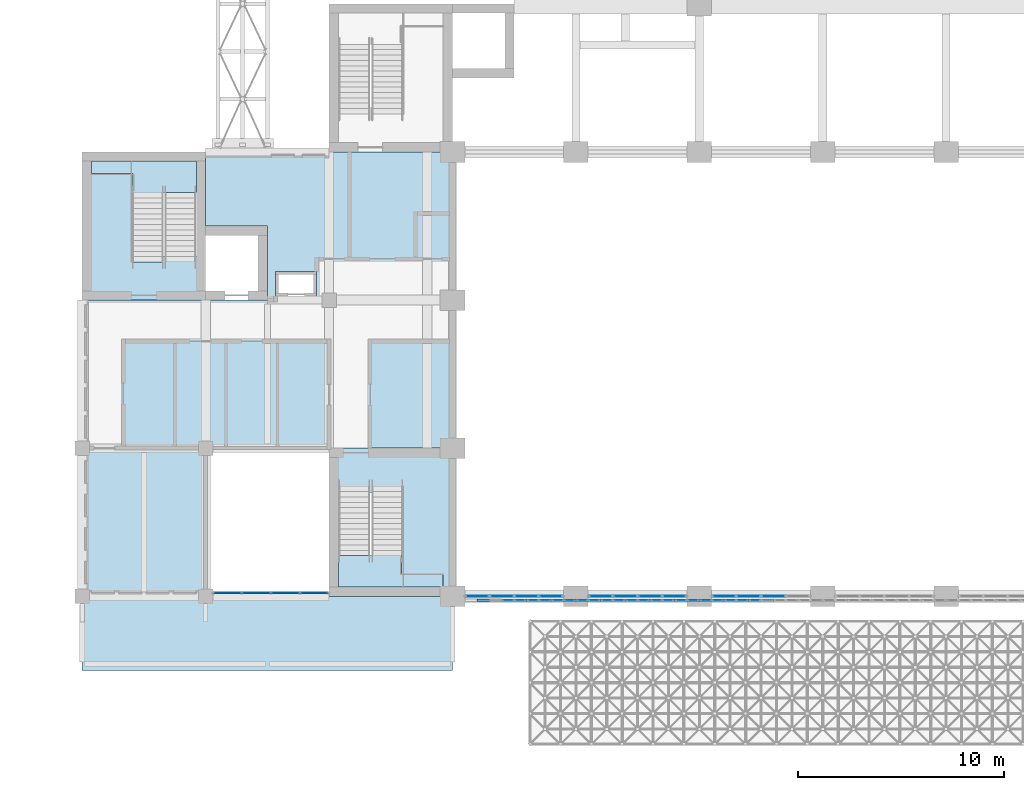
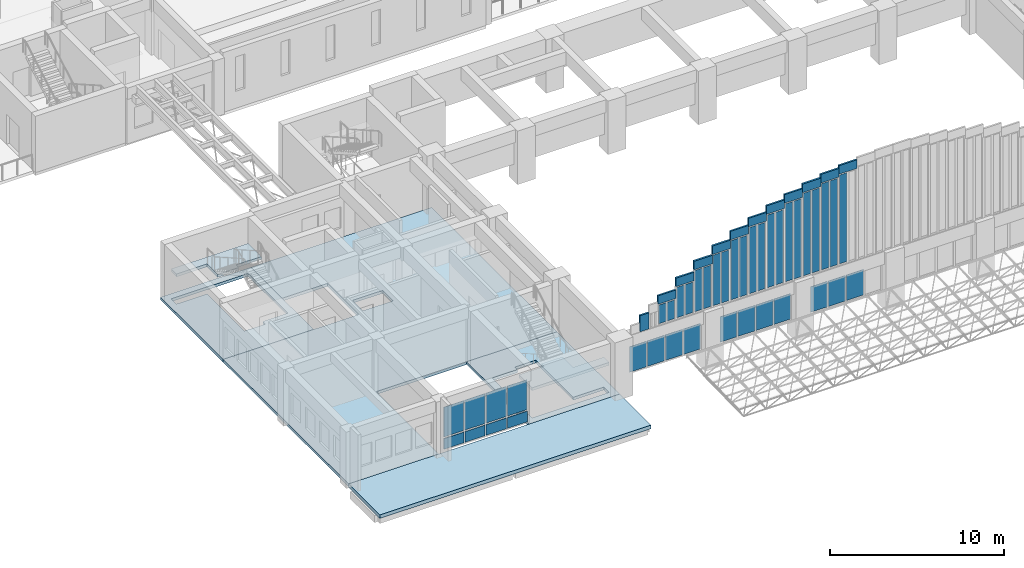
# One storey, part 46 of 103: 52 plates, 6 slabs, 17 elements without a shape of their own.
"""IFC4 building model written with IfcOpenShell, lengths in metres."""

from ifc_helpers import new_model, si_unit, direction, frame, origin, origin_2d, place, context, subcontext, project, spatial, polyline, rectangle, outline, extrude, material, layer, layer_set, type_object, element, aggregate, save


model = new_model("IFC4")

# Units and contexts
model_context = context("Model", 3, precision=1e-05, world=origin(), true_north=direction((0.0, 1.0)))
body_context = subcontext(model_context, "Body", "Model", "MODEL_VIEW")
ifc_project = project(units=[si_unit("LENGTHUNIT", "METRE"), si_unit("AREAUNIT", "SQUARE_METRE"), si_unit("VOLUMEUNIT", "CUBIC_METRE"), si_unit("PLANEANGLEUNIT", "RADIAN"), si_unit("MASSUNIT", "GRAM", prefix="KILO")], contexts=[model_context])

# Site, building, storey
site_placement = place(None, origin())
site = spatial("IfcSite", under=ifc_project, at=site_placement, CompositionType="ELEMENT")
building_placement = place(site_placement, origin())
building = spatial("IfcBuilding", under=site, at=building_placement, Name="Laocheng Heights Fire and Rescue Headquarters", CompositionType="ELEMENT")
storey_placement = place(building_placement, frame((0.0, 0.0, 4.199951171875)))
storey = spatial("IfcBuildingStorey", under=building, at=storey_placement, Name="L01", CompositionType="ELEMENT", Elevation=4.199951171875)

# Curtain wall, plates
ifc_material_1 = material(Name="Aluminium unitised curtain wall, low-e double glazing", Category="aluminium")
curtain_wall_type_1 = type_object("IfcCurtainWallType", Name="CW 5650 x 3150 FLANK W UNIT", PredefinedType="NOTDEFINED", material=ifc_material_1)
curtain_wall_1_placement = place(storey_placement, origin())
curtain_wall_1 = element("IfcCurtainWall", 1, at=curtain_wall_1_placement, inside=storey, type_object=curtain_wall_type_1, Name="Flank W glazing L01", PredefinedType="NOTDEFINED")
ifc_material_2 = material(Name="Aluminium shadow-box panel, insulated and back-painted", Category="aluminium")
ifc_layer_1 = layer(ifc_material_2, 0.06005859375)
ifc_layer_set_1 = layer_set([ifc_layer_1], Name="Aluminium shadow-box panel, insulated and back-painted")
plate_type_1 = type_object("IfcPlateType", Name="CW SHADOW BOX PANEL 60", PredefinedType="CURTAIN_PANEL", material=ifc_layer_set_1)
plate_1_placement = place(storey_placement, frame((7.0712890625, 0.14990234375, 0.10009765625), z_axis=(0.0, 0.0, 1.0), x_axis=(1.0, 0.0, 0.0)))
plate_1 = element("IfcPlate", 2, at=plate_1_placement, type_object=plate_type_1, Name="X2-E panel 1.1", PredefinedType="CURTAIN_PANEL", context=body_context, shape_type="SweptSolid", body=[
    extrude(rectangle(XDim=1.322509765625, YDim=0.06005859375, at=origin_2d()), origin(), (0.0, 0.0, 1.0), 0.75),
])
plate_2_placement = place(storey_placement, frame((8.46875, 0.14990234375, 0.10009765625), z_axis=(0.0, 0.0, 1.0), x_axis=(1.0, 0.0, 0.0)))
plate_2 = element("IfcPlate", 3, at=plate_2_placement, type_object=plate_type_1, Name="X2-E panel 2.1", PredefinedType="CURTAIN_PANEL", context=body_context, shape_type="SweptSolid", body=[
    extrude(rectangle(XDim=1.3525390625, YDim=0.06005859375, at=origin_2d()), origin(), (0.0, 0.0, 1.0), 0.75),
])
plate_3_placement = place(storey_placement, frame((9.88134765625, 0.14990234375, 0.10009765625), z_axis=(0.0, 0.0, 1.0), x_axis=(1.0, 0.0, 0.0)))
plate_3 = element("IfcPlate", 4, at=plate_3_placement, type_object=plate_type_1, Name="X2-E panel 3.1", PredefinedType="CURTAIN_PANEL", context=body_context, shape_type="SweptSolid", body=[
    extrude(rectangle(XDim=1.3525390625, YDim=0.06005859375, at=origin_2d()), origin(), (0.0, 0.0, 1.0), 0.75),
])
plate_4_placement = place(storey_placement, frame((11.27880859375, 0.14990234375, 0.10009765625), z_axis=(0.0, 0.0, 1.0), x_axis=(1.0, 0.0, 0.0)))
plate_4 = element("IfcPlate", 5, at=plate_4_placement, type_object=plate_type_1, Name="X2-E panel 4.1", PredefinedType="CURTAIN_PANEL", context=body_context, shape_type="SweptSolid", body=[
    extrude(rectangle(XDim=1.322509765625, YDim=0.06005859375, at=origin_2d()), origin(), (0.0, 0.0, 1.0), 0.75),
])
ifc_material_3 = material(Name="Low-e double glazed unit, laminated inner pane")
ifc_layer_2 = layer(ifc_material_3, 0.028076171875)
ifc_layer_set_2 = layer_set([ifc_layer_2], Name="Low-e double glazed unit, laminated inner pane")
plate_type_2 = type_object("IfcPlateType", Name="CW VISION PANEL 28 LOW-E", PredefinedType="CURTAIN_PANEL", material=ifc_layer_set_2)
plate_5_placement = place(storey_placement, frame((7.0712890625, 0.14990234375, 0.949951171875), z_axis=(0.0, 0.0, 1.0), x_axis=(1.0, 0.0, 0.0)))
plate_5 = element("IfcPlate", 6, at=plate_5_placement, type_object=plate_type_2, Name="X2-E panel 1.2", PredefinedType="CURTAIN_PANEL", context=body_context, shape_type="SweptSolid", body=[
    extrude(rectangle(XDim=1.322509765625, YDim=0.028076171875, at=origin_2d()), origin(), (0.0, 0.0, 1.0), 2.10009765625),
])
plate_6_placement = place(storey_placement, frame((8.46875, 0.14990234375, 0.949951171875), z_axis=(0.0, 0.0, 1.0), x_axis=(1.0, 0.0, 0.0)))
plate_6 = element("IfcPlate", 7, at=plate_6_placement, type_object=plate_type_2, Name="X2-E panel 2.2", PredefinedType="CURTAIN_PANEL", context=body_context, shape_type="SweptSolid", body=[
    extrude(rectangle(XDim=1.3525390625, YDim=0.028076171875, at=origin_2d()), origin(), (0.0, 0.0, 1.0), 2.10009765625),
])
plate_7_placement = place(storey_placement, frame((9.88134765625, 0.14990234375, 0.949951171875), z_axis=(0.0, 0.0, 1.0), x_axis=(1.0, 0.0, 0.0)))
plate_7 = element("IfcPlate", 8, at=plate_7_placement, type_object=plate_type_2, Name="X2-E panel 3.2", PredefinedType="CURTAIN_PANEL", context=body_context, shape_type="SweptSolid", body=[
    extrude(rectangle(XDim=1.3525390625, YDim=0.028076171875, at=origin_2d()), origin(), (0.0, 0.0, 1.0), 2.10009765625),
])
plate_8_placement = place(storey_placement, frame((11.27880859375, 0.14990234375, 0.949951171875), z_axis=(0.0, 0.0, 1.0), x_axis=(1.0, 0.0, 0.0)))
plate_8 = element("IfcPlate", 9, at=plate_8_placement, type_object=plate_type_2, Name="X2-E panel 4.2", PredefinedType="CURTAIN_PANEL", context=body_context, shape_type="SweptSolid", body=[
    extrude(rectangle(XDim=1.322509765625, YDim=0.028076171875, at=origin_2d()), origin(), (0.0, 0.0, 1.0), 2.10009765625),
])
aggregate(curtain_wall_1, [plate_1, plate_5, plate_2, plate_6, plate_3, plate_7, plate_4, plate_8])

# Plates
ifc_material_4 = material(Name="Aluminium shadow-box panel, insulated and back-painted", Category="aluminium")
ifc_layer_3 = layer(ifc_material_4, 0.1201171875)
ifc_layer_set_3 = layer_set([ifc_layer_3], Name="Aluminium shadow-box panel, insulated and back-painted")
plate_type_3 = type_object("IfcPlateType", Name="GABLE STEP PLATE 120", PredefinedType="SHEET", material=ifc_layer_set_3)
plate_9_placement = place(storey_placement, frame((19.5, -0.196533203125, 4.09033203125), z_axis=(0.0, 0.0, 1.0), x_axis=(1.0, 0.0, 0.0)))
element("IfcPlate", 10, at=plate_9_placement, inside=storey, type_object=plate_type_3, Name="Gable step plate S02", PredefinedType="SHEET", context=body_context, shape_type="SweptSolid", body=[
    extrude(rectangle(XDim=0.60009765625, YDim=0.1201171875, at=origin_2d()), origin(), (0.0, 0.0, 1.0), 1.134521484375),
])
for number, where, z_axis, x_axis, name in (
    (11, (21.0, -0.196533203125, 5.60205078125), (0.0, 0.0, 1.0), (1.0, 0.0, 0.0), "Gable step plate S04"),
    (12, (22.199951171875, -0.196533203125, 6.426025390625), (0.0, 0.0, 1.0), (1.0, 0.0, 0.0), "Gable step plate S05"),
    (13, (23.39990234375, -0.196533203125, 7.18994140625), (0.0, 0.0, 1.0), (1.0, 0.0, 0.0), "Gable step plate S06"),
    (14, (24.60009765625, -0.196533203125, 7.8359375), (0.0, 0.0, 1.0), (1.0, 0.0, 0.0), "Gable step plate S07"),
    (15, (25.800048828125, -0.196533203125, 8.443115234375), (0.0, 0.0, 1.0), (1.0, 0.0, 0.0), "Gable step plate S08"),
    (16, (27.0, -0.196533203125, 8.93603515625), (0.0, 0.0, 1.0), (1.0, 0.0, 0.0), "Gable step plate S09"),
    (17, (28.199951171875, -0.196533203125, 9.39599609375), (0.0, 0.0, 1.0), (1.0, 0.0, 0.0), "Gable step plate S10"),
    (18, (29.39990234375, -0.196533203125, 9.759033203125), (0.0, 0.0, 1.0), (1.0, 0.0, 0.0), "Gable step plate S11"),
    (19, (30.60009765625, -0.196533203125, 10.0849609375), (0.0, 0.0, 1.0), (1.0, 0.0, 0.0), "Gable step plate S12"),
    (20, (31.800048828125, -0.196533203125, 10.3359375), (0.0, 0.0, 1.0), (1.0, 0.0, 0.0), "Gable step plate S13"),
    (21, (33.0, -0.196533203125, 10.528076171875), (0.0, 0.0, 1.0), (1.0, 0.0, 0.0), "Gable step plate S14"),
):
    element("IfcPlate", number, at=place(storey_placement, frame(where, z_axis=z_axis, x_axis=x_axis)), inside=storey, type_object=plate_type_3, Name=name, PredefinedType="SHEET", context=body_context, shape_type="SweptSolid", body=[
        extrude(rectangle(XDim=1.199951171875, YDim=0.1201171875, at=origin_2d()), origin(), (0.0, 0.0, 1.0), 0.60009765625),
    ])

# Curtain wall, plates
ifc_material_5 = material(Name="Aluminium gable glazing, low-e double glazing", Category="aluminium")
curtain_wall_type_2 = type_object("IfcCurtainWallType", Name="GABLE SPANDREL GLAZED UNIT 4800 x 1990", PredefinedType="NOTDEFINED", material=ifc_material_5)
curtain_wall_2_placement = place(storey_placement, origin())
curtain_wall_2 = element("IfcCurtainWall", 22, at=curtain_wall_2_placement, inside=storey, type_object=curtain_wall_type_2, Name="Gable spandrel glazing S1", PredefinedType="NOTDEFINED")
ifc_material_6 = material(Name="Low-e double glazed unit, laminated inner pane")
ifc_layer_4 = layer(ifc_material_6, 0.028076171875)
ifc_layer_set_4 = layer_set([ifc_layer_4], Name="Low-e double glazed unit, laminated inner pane")
plate_type_4 = type_object("IfcPlateType", Name="GABLE VISION PANEL 28", PredefinedType="CURTAIN_PANEL", material=ifc_layer_set_4)
plate_10_placement = place(storey_placement, frame((19.215087890625, 0.0, 1.300048828125), z_axis=(0.0, 0.0, 1.0), x_axis=(1.0, 0.0, 0.0)))
plate_10 = element("IfcPlate", 23, at=plate_10_placement, type_object=plate_type_4, Name="X1-D panel 1.1", PredefinedType="CURTAIN_PANEL", context=body_context, shape_type="SweptSolid", body=[
    extrude(rectangle(XDim=1.110107421875, YDim=0.028076171875, at=origin_2d()), origin(), (0.0, 0.0, 1.0), 1.79052734375),
])
plate_11_placement = place(storey_placement, frame((20.39990234375, 0.0, 1.300048828125), z_axis=(0.0, 0.0, 1.0), x_axis=(1.0, 0.0, 0.0)))
plate_11 = element("IfcPlate", 24, at=plate_11_placement, type_object=plate_type_4, Name="X1-D panel 2.1", PredefinedType="CURTAIN_PANEL", context=body_context, shape_type="SweptSolid", body=[
    extrude(rectangle(XDim=1.139892578125, YDim=0.028076171875, at=origin_2d()), origin(), (0.0, 0.0, 1.0), 1.79052734375),
])
plate_12_placement = place(storey_placement, frame((21.60009765625, 0.0, 1.300048828125), z_axis=(0.0, 0.0, 1.0), x_axis=(1.0, 0.0, 0.0)))
plate_12 = element("IfcPlate", 25, at=plate_12_placement, type_object=plate_type_4, Name="X1-D panel 3.1", PredefinedType="CURTAIN_PANEL", context=body_context, shape_type="SweptSolid", body=[
    extrude(rectangle(XDim=1.139892578125, YDim=0.028076171875, at=origin_2d()), origin(), (0.0, 0.0, 1.0), 1.79052734375),
])
plate_13_placement = place(storey_placement, frame((22.784912109375, 0.0, 1.300048828125), z_axis=(0.0, 0.0, 1.0), x_axis=(1.0, 0.0, 0.0)))
plate_13 = element("IfcPlate", 26, at=plate_13_placement, type_object=plate_type_4, Name="X1-D panel 4.1", PredefinedType="CURTAIN_PANEL", context=body_context, shape_type="SweptSolid", body=[
    extrude(rectangle(XDim=1.110107421875, YDim=0.028076171875, at=origin_2d()), origin(), (0.0, 0.0, 1.0), 1.79052734375),
])
aggregate(curtain_wall_2, [plate_10, plate_11, plate_12, plate_13])

curtain_wall_3_placement = place(storey_placement, origin())
curtain_wall_3 = element("IfcCurtainWall", 27, at=curtain_wall_3_placement, inside=storey, type_object=curtain_wall_type_2, Name="Gable spandrel glazing S2", PredefinedType="NOTDEFINED")
plate_14_placement = place(storey_placement, frame((25.215087890625, 0.0, 1.300048828125), z_axis=(0.0, 0.0, 1.0), x_axis=(1.0, 0.0, 0.0)))
plate_14 = element("IfcPlate", 28, at=plate_14_placement, type_object=plate_type_4, Name="X1-D panel 1.1", PredefinedType="CURTAIN_PANEL", context=body_context, shape_type="SweptSolid", body=[
    extrude(rectangle(XDim=1.110107421875, YDim=0.028076171875, at=origin_2d()), origin(), (0.0, 0.0, 1.0), 1.79052734375),
])
plate_15_placement = place(storey_placement, frame((26.39990234375, 0.0, 1.300048828125), z_axis=(0.0, 0.0, 1.0), x_axis=(1.0, 0.0, 0.0)))
plate_15 = element("IfcPlate", 29, at=plate_15_placement, type_object=plate_type_4, Name="X1-D panel 2.1", PredefinedType="CURTAIN_PANEL", context=body_context, shape_type="SweptSolid", body=[
    extrude(rectangle(XDim=1.139892578125, YDim=0.028076171875, at=origin_2d()), origin(), (0.0, 0.0, 1.0), 1.79052734375),
])
plate_16_placement = place(storey_placement, frame((27.60009765625, 0.0, 1.300048828125), z_axis=(0.0, 0.0, 1.0), x_axis=(1.0, 0.0, 0.0)))
plate_16 = element("IfcPlate", 30, at=plate_16_placement, type_object=plate_type_4, Name="X1-D panel 3.1", PredefinedType="CURTAIN_PANEL", context=body_context, shape_type="SweptSolid", body=[
    extrude(rectangle(XDim=1.139892578125, YDim=0.028076171875, at=origin_2d()), origin(), (0.0, 0.0, 1.0), 1.79052734375),
])
plate_17_placement = place(storey_placement, frame((28.784912109375, 0.0, 1.300048828125), z_axis=(0.0, 0.0, 1.0), x_axis=(1.0, 0.0, 0.0)))
plate_17 = element("IfcPlate", 31, at=plate_17_placement, type_object=plate_type_4, Name="X1-D panel 4.1", PredefinedType="CURTAIN_PANEL", context=body_context, shape_type="SweptSolid", body=[
    extrude(rectangle(XDim=1.110107421875, YDim=0.028076171875, at=origin_2d()), origin(), (0.0, 0.0, 1.0), 1.79052734375),
])
aggregate(curtain_wall_3, [plate_14, plate_15, plate_16, plate_17])

curtain_wall_4_placement = place(storey_placement, origin())
curtain_wall_4 = element("IfcCurtainWall", 32, at=curtain_wall_4_placement, inside=storey, type_object=curtain_wall_type_2, Name="Gable spandrel glazing S3", PredefinedType="NOTDEFINED")
plate_18_placement = place(storey_placement, frame((31.215087890625, 0.0, 1.300048828125), z_axis=(0.0, 0.0, 1.0), x_axis=(1.0, 0.0, 0.0)))
plate_18 = element("IfcPlate", 33, at=plate_18_placement, type_object=plate_type_4, Name="X1-D panel 1.1", PredefinedType="CURTAIN_PANEL", context=body_context, shape_type="SweptSolid", body=[
    extrude(rectangle(XDim=1.110107421875, YDim=0.028076171875, at=origin_2d()), origin(), (0.0, 0.0, 1.0), 1.79052734375),
])
plate_19_placement = place(storey_placement, frame((32.39990234375, 0.0, 1.300048828125), z_axis=(0.0, 0.0, 1.0), x_axis=(1.0, 0.0, 0.0)))
plate_19 = element("IfcPlate", 34, at=plate_19_placement, type_object=plate_type_4, Name="X1-D panel 2.1", PredefinedType="CURTAIN_PANEL", context=body_context, shape_type="SweptSolid", body=[
    extrude(rectangle(XDim=1.139892578125, YDim=0.028076171875, at=origin_2d()), origin(), (0.0, 0.0, 1.0), 1.79052734375),
])
plate_20_placement = place(storey_placement, frame((33.60009765625, 0.0, 1.300048828125), z_axis=(0.0, 0.0, 1.0), x_axis=(1.0, 0.0, 0.0)))
plate_20 = element("IfcPlate", 35, at=plate_20_placement, type_object=plate_type_4, Name="X1-D panel 3.1", PredefinedType="CURTAIN_PANEL", context=body_context, shape_type="SweptSolid", body=[
    extrude(rectangle(XDim=1.139892578125, YDim=0.028076171875, at=origin_2d()), origin(), (0.0, 0.0, 1.0), 1.79052734375),
])
aggregate(curtain_wall_4, [plate_18, plate_19, plate_20])

ifc_material_7 = material(Name="Aluminium gable glazing, low-e double glazing", Category="aluminium")
curtain_wall_type_3 = type_object("IfcCurtainWallType", Name="GABLE GLAZED UNIT 1200 x 1511", PredefinedType="NOTDEFINED", material=ifc_material_7)
curtain_wall_5_placement = place(storey_placement, origin())
curtain_wall_5 = element("IfcCurtainWall", 36, at=curtain_wall_5_placement, inside=storey, type_object=curtain_wall_type_3, Name="Gable glazing S04", PredefinedType="NOTDEFINED")
plate_21_placement = place(storey_placement, frame((20.715087890625, -0.196533203125, 4.1904296875), z_axis=(0.0, 0.0, 1.0), x_axis=(1.0, 0.0, 0.0)))
plate_21 = element("IfcPlate", 37, at=plate_21_placement, type_object=plate_type_4, Name="X3-D panel 1.1", PredefinedType="CURTAIN_PANEL", context=body_context, shape_type="SweptSolid", body=[
    extrude(rectangle(XDim=0.510009765625, YDim=0.028076171875, at=origin_2d()), origin(), (0.0, 0.0, 1.0), 1.3115234375),
])
plate_22_placement = place(storey_placement, frame((21.284912109375, -0.196533203125, 4.1904296875), z_axis=(0.0, 0.0, 1.0), x_axis=(1.0, 0.0, 0.0)))
plate_22 = element("IfcPlate", 38, at=plate_22_placement, type_object=plate_type_4, Name="X3-D panel 2.1", PredefinedType="CURTAIN_PANEL", context=body_context, shape_type="SweptSolid", body=[
    extrude(rectangle(XDim=0.510009765625, YDim=0.028076171875, at=origin_2d()), origin(), (0.0, 0.0, 1.0), 1.3115234375),
])
aggregate(curtain_wall_5, [plate_21, plate_22])

ifc_material_8 = material(Name="Aluminium gable glazing, low-e double glazing", Category="aluminium")
curtain_wall_type_4 = type_object("IfcCurtainWallType", Name="GABLE GLAZED UNIT 1200 x 2336", PredefinedType="NOTDEFINED", material=ifc_material_8)
curtain_wall_6_placement = place(storey_placement, origin())
curtain_wall_6 = element("IfcCurtainWall", 39, at=curtain_wall_6_placement, inside=storey, type_object=curtain_wall_type_4, Name="Gable glazing S05", PredefinedType="NOTDEFINED")
plate_23_placement = place(storey_placement, frame((21.9150390625, -0.196533203125, 4.1904296875), z_axis=(0.0, 0.0, 1.0), x_axis=(1.0, 0.0, 0.0)))
plate_23 = element("IfcPlate", 40, at=plate_23_placement, type_object=plate_type_4, Name="X4-D panel 1.1", PredefinedType="CURTAIN_PANEL", context=body_context, shape_type="SweptSolid", body=[
    extrude(rectangle(XDim=0.510009765625, YDim=0.028076171875, at=origin_2d()), origin(), (0.0, 0.0, 1.0), 2.135498046875),
])
plate_24_placement = place(storey_placement, frame((22.485107421875, -0.196533203125, 4.1904296875), z_axis=(0.0, 0.0, 1.0), x_axis=(1.0, 0.0, 0.0)))
plate_24 = element("IfcPlate", 41, at=plate_24_placement, type_object=plate_type_4, Name="X4-D panel 2.1", PredefinedType="CURTAIN_PANEL", context=body_context, shape_type="SweptSolid", body=[
    extrude(rectangle(XDim=0.510009765625, YDim=0.028076171875, at=origin_2d()), origin(), (0.0, 0.0, 1.0), 2.135498046875),
])
aggregate(curtain_wall_6, [plate_23, plate_24])

ifc_material_9 = material(Name="Aluminium gable glazing, low-e double glazing", Category="aluminium")
curtain_wall_type_5 = type_object("IfcCurtainWallType", Name="GABLE GLAZED UNIT 1200 x 3100", PredefinedType="NOTDEFINED", material=ifc_material_9)
curtain_wall_7_placement = place(storey_placement, origin())
curtain_wall_7 = element("IfcCurtainWall", 42, at=curtain_wall_7_placement, inside=storey, type_object=curtain_wall_type_5, Name="Gable glazing S06", PredefinedType="NOTDEFINED")
plate_25_placement = place(storey_placement, frame((23.114990234375, -0.196533203125, 4.190673828125), z_axis=(0.0, 0.0, 1.0), x_axis=(1.0, 0.0, 0.0)))
plate_25 = element("IfcPlate", 43, at=plate_25_placement, type_object=plate_type_4, Name="X5-D panel 1.1", PredefinedType="CURTAIN_PANEL", context=body_context, shape_type="SweptSolid", body=[
    extrude(rectangle(XDim=0.510009765625, YDim=0.028076171875, at=origin_2d()), origin(), (0.0, 0.0, 1.0), 2.8994140625),
])
plate_26_placement = place(storey_placement, frame((23.68505859375, -0.196533203125, 4.190673828125), z_axis=(0.0, 0.0, 1.0), x_axis=(1.0, 0.0, 0.0)))
plate_26 = element("IfcPlate", 44, at=plate_26_placement, type_object=plate_type_4, Name="X5-D panel 2.1", PredefinedType="CURTAIN_PANEL", context=body_context, shape_type="SweptSolid", body=[
    extrude(rectangle(XDim=0.510009765625, YDim=0.028076171875, at=origin_2d()), origin(), (0.0, 0.0, 1.0), 2.8994140625),
])
aggregate(curtain_wall_7, [plate_25, plate_26])

ifc_material_10 = material(Name="Aluminium gable glazing, low-e double glazing", Category="aluminium")
curtain_wall_type_6 = type_object("IfcCurtainWallType", Name="GABLE GLAZED UNIT 1200 x 3746", PredefinedType="NOTDEFINED", material=ifc_material_10)
curtain_wall_8_placement = place(storey_placement, origin())
curtain_wall_8 = element("IfcCurtainWall", 45, at=curtain_wall_8_placement, inside=storey, type_object=curtain_wall_type_6, Name="Gable glazing S07", PredefinedType="NOTDEFINED")
plate_27_placement = place(storey_placement, frame((24.31494140625, -0.196533203125, 4.190673828125), z_axis=(0.0, 0.0, 1.0), x_axis=(1.0, 0.0, 0.0)))
plate_27 = element("IfcPlate", 46, at=plate_27_placement, type_object=plate_type_4, Name="X6-D panel 1.1", PredefinedType="CURTAIN_PANEL", context=body_context, shape_type="SweptSolid", body=[
    extrude(rectangle(XDim=0.510009765625, YDim=0.028076171875, at=origin_2d()), origin(), (0.0, 0.0, 1.0), 3.54541015625),
])
plate_28_placement = place(storey_placement, frame((24.885009765625, -0.196533203125, 4.190673828125), z_axis=(0.0, 0.0, 1.0), x_axis=(1.0, 0.0, 0.0)))
plate_28 = element("IfcPlate", 47, at=plate_28_placement, type_object=plate_type_4, Name="X6-D panel 2.1", PredefinedType="CURTAIN_PANEL", context=body_context, shape_type="SweptSolid", body=[
    extrude(rectangle(XDim=0.510009765625, YDim=0.028076171875, at=origin_2d()), origin(), (0.0, 0.0, 1.0), 3.54541015625),
])
aggregate(curtain_wall_8, [plate_27, plate_28])

ifc_material_11 = material(Name="Aluminium gable glazing, low-e double glazing", Category="aluminium")
curtain_wall_type_7 = type_object("IfcCurtainWallType", Name="GABLE GLAZED UNIT 1200 x 4353", PredefinedType="NOTDEFINED", material=ifc_material_11)
curtain_wall_9_placement = place(storey_placement, origin())
curtain_wall_9 = element("IfcCurtainWall", 48, at=curtain_wall_9_placement, inside=storey, type_object=curtain_wall_type_7, Name="Gable glazing S08", PredefinedType="NOTDEFINED")
plate_29_placement = place(storey_placement, frame((25.514892578125, -0.196533203125, 4.1904296875), z_axis=(0.0, 0.0, 1.0), x_axis=(1.0, 0.0, 0.0)))
plate_29 = element("IfcPlate", 49, at=plate_29_placement, type_object=plate_type_4, Name="X7-D panel 1.1", PredefinedType="CURTAIN_PANEL", context=body_context, shape_type="SweptSolid", body=[
    extrude(rectangle(XDim=0.510009765625, YDim=0.028076171875, at=origin_2d()), origin(), (0.0, 0.0, 1.0), 4.152587890625),
])
plate_30_placement = place(storey_placement, frame((26.0849609375, -0.196533203125, 4.1904296875), z_axis=(0.0, 0.0, 1.0), x_axis=(1.0, 0.0, 0.0)))
plate_30 = element("IfcPlate", 50, at=plate_30_placement, type_object=plate_type_4, Name="X7-D panel 2.1", PredefinedType="CURTAIN_PANEL", context=body_context, shape_type="SweptSolid", body=[
    extrude(rectangle(XDim=0.510009765625, YDim=0.028076171875, at=origin_2d()), origin(), (0.0, 0.0, 1.0), 4.152587890625),
])
aggregate(curtain_wall_9, [plate_29, plate_30])

ifc_material_12 = material(Name="Aluminium gable glazing, low-e double glazing", Category="aluminium")
curtain_wall_type_8 = type_object("IfcCurtainWallType", Name="GABLE GLAZED UNIT 1200 x 4846", PredefinedType="NOTDEFINED", material=ifc_material_12)
curtain_wall_10_placement = place(storey_placement, origin())
curtain_wall_10 = element("IfcCurtainWall", 51, at=curtain_wall_10_placement, inside=storey, type_object=curtain_wall_type_8, Name="Gable glazing S09", PredefinedType="NOTDEFINED")
plate_31_placement = place(storey_placement, frame((26.715087890625, -0.196533203125, 4.1904296875), z_axis=(0.0, 0.0, 1.0), x_axis=(1.0, 0.0, 0.0)))
plate_31 = element("IfcPlate", 52, at=plate_31_placement, type_object=plate_type_4, Name="X8-D panel 1.1", PredefinedType="CURTAIN_PANEL", context=body_context, shape_type="SweptSolid", body=[
    extrude(rectangle(XDim=0.510009765625, YDim=0.028076171875, at=origin_2d()), origin(), (0.0, 0.0, 1.0), 4.6455078125),
])
plate_32_placement = place(storey_placement, frame((27.284912109375, -0.196533203125, 4.1904296875), z_axis=(0.0, 0.0, 1.0), x_axis=(1.0, 0.0, 0.0)))
plate_32 = element("IfcPlate", 53, at=plate_32_placement, type_object=plate_type_4, Name="X8-D panel 2.1", PredefinedType="CURTAIN_PANEL", context=body_context, shape_type="SweptSolid", body=[
    extrude(rectangle(XDim=0.510009765625, YDim=0.028076171875, at=origin_2d()), origin(), (0.0, 0.0, 1.0), 4.6455078125),
])
aggregate(curtain_wall_10, [plate_31, plate_32])

ifc_material_13 = material(Name="Aluminium gable glazing, low-e double glazing", Category="aluminium")
curtain_wall_type_9 = type_object("IfcCurtainWallType", Name="GABLE GLAZED UNIT 1200 x 5306", PredefinedType="NOTDEFINED", material=ifc_material_13)
curtain_wall_11_placement = place(storey_placement, origin())
curtain_wall_11 = element("IfcCurtainWall", 54, at=curtain_wall_11_placement, inside=storey, type_object=curtain_wall_type_9, Name="Gable glazing S10", PredefinedType="NOTDEFINED")
plate_33_placement = place(storey_placement, frame((27.9150390625, -0.196533203125, 4.190673828125), z_axis=(0.0, 0.0, 1.0), x_axis=(1.0, 0.0, 0.0)))
plate_33 = element("IfcPlate", 55, at=plate_33_placement, type_object=plate_type_4, Name="X9-D panel 1.1", PredefinedType="CURTAIN_PANEL", context=body_context, shape_type="SweptSolid", body=[
    extrude(rectangle(XDim=0.510009765625, YDim=0.028076171875, at=origin_2d()), origin(), (0.0, 0.0, 1.0), 5.10546875),
])
plate_34_placement = place(storey_placement, frame((28.485107421875, -0.196533203125, 4.190673828125), z_axis=(0.0, 0.0, 1.0), x_axis=(1.0, 0.0, 0.0)))
plate_34 = element("IfcPlate", 56, at=plate_34_placement, type_object=plate_type_4, Name="X9-D panel 2.1", PredefinedType="CURTAIN_PANEL", context=body_context, shape_type="SweptSolid", body=[
    extrude(rectangle(XDim=0.510009765625, YDim=0.028076171875, at=origin_2d()), origin(), (0.0, 0.0, 1.0), 5.10546875),
])
aggregate(curtain_wall_11, [plate_33, plate_34])

ifc_material_14 = material(Name="Aluminium gable glazing, low-e double glazing", Category="aluminium")
curtain_wall_type_10 = type_object("IfcCurtainWallType", Name="GABLE GLAZED UNIT 1200 x 5668", PredefinedType="NOTDEFINED", material=ifc_material_14)
curtain_wall_12_placement = place(storey_placement, origin())
curtain_wall_12 = element("IfcCurtainWall", 57, at=curtain_wall_12_placement, inside=storey, type_object=curtain_wall_type_10, Name="Gable glazing S11", PredefinedType="NOTDEFINED")
plate_35_placement = place(storey_placement, frame((29.114990234375, -0.196533203125, 4.1904296875), z_axis=(0.0, 0.0, 1.0), x_axis=(1.0, 0.0, 0.0)))
plate_35 = element("IfcPlate", 58, at=plate_35_placement, type_object=plate_type_4, Name="X10-D panel 1.1", PredefinedType="CURTAIN_PANEL", context=body_context, shape_type="SweptSolid", body=[
    extrude(rectangle(XDim=0.510009765625, YDim=0.028076171875, at=origin_2d()), origin(), (0.0, 0.0, 1.0), 5.468505859375),
])
plate_36_placement = place(storey_placement, frame((29.68505859375, -0.196533203125, 4.1904296875), z_axis=(0.0, 0.0, 1.0), x_axis=(1.0, 0.0, 0.0)))
plate_36 = element("IfcPlate", 59, at=plate_36_placement, type_object=plate_type_4, Name="X10-D panel 2.1", PredefinedType="CURTAIN_PANEL", context=body_context, shape_type="SweptSolid", body=[
    extrude(rectangle(XDim=0.510009765625, YDim=0.028076171875, at=origin_2d()), origin(), (0.0, 0.0, 1.0), 5.468505859375),
])
aggregate(curtain_wall_12, [plate_35, plate_36])

ifc_material_15 = material(Name="Aluminium gable glazing, low-e double glazing", Category="aluminium")
curtain_wall_type_11 = type_object("IfcCurtainWallType", Name="GABLE GLAZED UNIT 1200 x 5994", PredefinedType="NOTDEFINED", material=ifc_material_15)
curtain_wall_13_placement = place(storey_placement, origin())
curtain_wall_13 = element("IfcCurtainWall", 60, at=curtain_wall_13_placement, inside=storey, type_object=curtain_wall_type_11, Name="Gable glazing S12", PredefinedType="NOTDEFINED")
plate_37_placement = place(storey_placement, frame((30.31494140625, -0.196533203125, 4.190673828125), z_axis=(0.0, 0.0, 1.0), x_axis=(1.0, 0.0, 0.0)))
plate_37 = element("IfcPlate", 61, at=plate_37_placement, type_object=plate_type_4, Name="X11-D panel 1.1", PredefinedType="CURTAIN_PANEL", context=body_context, shape_type="SweptSolid", body=[
    extrude(rectangle(XDim=0.510009765625, YDim=0.028076171875, at=origin_2d()), origin(), (0.0, 0.0, 1.0), 5.79443359375),
])
plate_38_placement = place(storey_placement, frame((30.885009765625, -0.196533203125, 4.190673828125), z_axis=(0.0, 0.0, 1.0), x_axis=(1.0, 0.0, 0.0)))
plate_38 = element("IfcPlate", 62, at=plate_38_placement, type_object=plate_type_4, Name="X11-D panel 2.1", PredefinedType="CURTAIN_PANEL", context=body_context, shape_type="SweptSolid", body=[
    extrude(rectangle(XDim=0.510009765625, YDim=0.028076171875, at=origin_2d()), origin(), (0.0, 0.0, 1.0), 5.79443359375),
])
aggregate(curtain_wall_13, [plate_37, plate_38])

ifc_material_16 = material(Name="Aluminium gable glazing, low-e double glazing", Category="aluminium")
curtain_wall_type_12 = type_object("IfcCurtainWallType", Name="GABLE GLAZED UNIT 1200 x 6246", PredefinedType="NOTDEFINED", material=ifc_material_16)
curtain_wall_14_placement = place(storey_placement, origin())
curtain_wall_14 = element("IfcCurtainWall", 63, at=curtain_wall_14_placement, inside=storey, type_object=curtain_wall_type_12, Name="Gable glazing S13", PredefinedType="NOTDEFINED")
plate_39_placement = place(storey_placement, frame((31.514892578125, -0.196533203125, 4.190673828125), z_axis=(0.0, 0.0, 1.0), x_axis=(1.0, 0.0, 0.0)))
plate_39 = element("IfcPlate", 64, at=plate_39_placement, type_object=plate_type_4, Name="X12-D panel 1.1", PredefinedType="CURTAIN_PANEL", context=body_context, shape_type="SweptSolid", body=[
    extrude(rectangle(XDim=0.510009765625, YDim=0.028076171875, at=origin_2d()), origin(), (0.0, 0.0, 1.0), 6.04541015625),
])
plate_40_placement = place(storey_placement, frame((32.0849609375, -0.196533203125, 4.190673828125), z_axis=(0.0, 0.0, 1.0), x_axis=(1.0, 0.0, 0.0)))
plate_40 = element("IfcPlate", 65, at=plate_40_placement, type_object=plate_type_4, Name="X12-D panel 2.1", PredefinedType="CURTAIN_PANEL", context=body_context, shape_type="SweptSolid", body=[
    extrude(rectangle(XDim=0.510009765625, YDim=0.028076171875, at=origin_2d()), origin(), (0.0, 0.0, 1.0), 6.04541015625),
])
aggregate(curtain_wall_14, [plate_39, plate_40])

# Curtain wall, plate
ifc_material_17 = material(Name="Aluminium gable glazing, low-e double glazing", Category="aluminium")
curtain_wall_type_13 = type_object("IfcCurtainWallType", Name="GABLE GLAZED UNIT 1200 x 6438", PredefinedType="NOTDEFINED", material=ifc_material_17)
curtain_wall_15_placement = place(storey_placement, origin())
curtain_wall_15 = element("IfcCurtainWall", 66, at=curtain_wall_15_placement, inside=storey, type_object=curtain_wall_type_13, Name="Gable glazing S14", PredefinedType="NOTDEFINED")
plate_41_placement = place(storey_placement, frame((32.715087890625, -0.196533203125, 4.1904296875), z_axis=(0.0, 0.0, 1.0), x_axis=(1.0, 0.0, 0.0)))
plate_41 = element("IfcPlate", 67, at=plate_41_placement, type_object=plate_type_4, Name="X13-D panel 1.1", PredefinedType="CURTAIN_PANEL", context=body_context, shape_type="SweptSolid", body=[
    extrude(rectangle(XDim=0.510009765625, YDim=0.028076171875, at=origin_2d()), origin(), (0.0, 0.0, 1.0), 6.237548828125),
])
aggregate(curtain_wall_15, [plate_41])

# Slabs
ifc_material_18 = material(Name="Concrete C40", Category="concrete")
ifc_layer_5 = layer(ifc_material_18, 0.25)
ifc_layer_set_5 = layer_set([ifc_layer_5], Name="Concrete C40")
slab_type_1 = type_object("IfcSlabType", Name="RC CANOPY SLAB 250", PredefinedType="ROOF", material=ifc_layer_set_5)
slab_1_placement = place(storey_placement, frame((0.0, 0.0, -0.25)))
element("IfcSlab", 68, at=slab_1_placement, inside=storey, type_object=slab_type_1, Name="Entrance canopy slab", PredefinedType="ROOF", context=body_context, shape_type="SweptSolid", body=[
    extrude(outline(polyline([(18.0, -3.60009765625), (18.0, 0.0), (0.0, 0.0), (0.0, -3.60009765625), (18.0, -3.60009765625)])), origin(), (0.0, 0.0, 1.0), 0.25),
])
ifc_material_19 = material(Name="Concrete C40", Category="concrete")
ifc_layer_6 = layer(ifc_material_19, 0.199951171875)
ifc_layer_set_6 = layer_set([ifc_layer_6], Name="Concrete C40")
slab_type_2 = type_object("IfcSlabType", Name="RC FLOOR SLAB PAVILION 200", PredefinedType="FLOOR", material=ifc_layer_set_6)
slab_2_placement = place(storey_placement, frame((0.0, 0.0, -0.199951171875)))
element("IfcSlab", 69, at=slab_2_placement, inside=storey, type_object=slab_type_2, Name="Pavilion first floor slab", PredefinedType="FLOOR", context=body_context, shape_type="SweptSolid", body=[
    extrude(outline(polyline([(18.0, 7.199951171875), (18.0, 21.60009765625), (6.0, 21.60009765625), (6.0, 18.0), (9.0, 18.0), (9.0, 14.39990234375), (0.0, 14.39990234375), (0.0, 0.0), (6.0, 0.0), (6.0, 7.199951171875), (18.0, 7.199951171875)]), holes=[polyline([(11.39990234375, 14.60009765625), (9.39990234375, 14.60009765625), (9.39990234375, 15.800048828125), (11.39990234375, 15.800048828125), (11.39990234375, 14.60009765625)])]), origin(), (0.0, 0.0, 1.0), 0.199951171875),
])

# Stair, slab
ifc_material_20 = material(Name="Concrete C40", Category="concrete")
stair_type = type_object("IfcStairType", Name="RC STAIR 1400 TWO FLIGHTS 28 RISERS OF 150 GOING 260", PredefinedType="HALF_TURN_STAIR", material=ifc_material_20)
stair_1_placement = place(storey_placement, origin())
stair_1 = element("IfcStair", 70, at=stair_1_placement, inside=storey, type_object=stair_type, Name="Stair W1 (L01 to L02)", PredefinedType="HALF_TURN_STAIR")
ifc_material_21 = material(Name="Concrete C40", Category="concrete")
ifc_layer_7 = layer(ifc_material_21, 0.199951171875)
ifc_layer_set_7 = layer_set([ifc_layer_7], Name="Concrete C40")
slab_type_3 = type_object("IfcSlabType", Name="STAIR FLOOR LANDING 200", PredefinedType="LANDING", material=ifc_layer_set_7)
slab_3_placement = place(storey_placement, frame((0.0, 0.0, -0.199951171875)))
slab_3 = element("IfcSlab", 71, at=slab_3_placement, type_object=slab_type_3, Name="Stair W1 floor landing L01", PredefinedType="LANDING", context=body_context, shape_type="SweptSolid", body=[
    extrude(outline(polyline([(0.0, 21.60009765625), (6.0, 21.60009765625), (6.0, 14.39990234375), (0.0, 14.39990234375), (0.0, 21.60009765625)]), holes=[polyline([(2.47509765625, 21.14990234375), (0.449951171875, 21.14990234375), (0.449951171875, 20.550048828125), (2.47509765625, 20.550048828125), (2.47509765625, 19.329833984375), (2.47509765625, 16.2529296875), (3.875, 16.2529296875), (3.875, 16.550048828125), (5.550048828125, 16.550048828125), (5.550048828125, 19.626953125), (5.550048828125, 21.14990234375), (3.875, 21.14990234375), (2.47509765625, 21.14990234375)])]), origin(), (0.0, 0.0, 1.0), 0.199951171875),
])

stair_2_placement = place(storey_placement, origin())
stair_2 = element("IfcStair", 72, at=stair_2_placement, inside=storey, type_object=stair_type, Name="Stair W2 (L01 to L02)", PredefinedType="HALF_TURN_STAIR")
slab_4_placement = place(storey_placement, frame((0.0, 0.0, -0.199951171875)))
slab_4 = element("IfcSlab", 73, at=slab_4_placement, type_object=slab_type_3, Name="Stair W2 floor landing L01", PredefinedType="LANDING", context=body_context, shape_type="SweptSolid", body=[
    extrude(outline(polyline([(12.0, 7.199951171875), (18.0, 7.199951171875), (18.0, 0.0), (12.0, 0.0), (12.0, 7.199951171875)]), holes=[polyline([(15.52490234375, 0.449951171875), (17.550048828125, 0.449951171875), (17.550048828125, 1.050048828125), (15.52490234375, 1.050048828125), (15.52490234375, 2.270263671875), (15.52490234375, 5.346923828125), (14.125, 5.346923828125), (14.125, 5.0498046875), (12.449951171875, 5.0498046875), (12.449951171875, 1.972900390625), (12.449951171875, 0.449951171875), (14.125, 0.449951171875), (15.52490234375, 0.449951171875)])]), origin(), (0.0, 0.0, 1.0), 0.199951171875),
])

# Slab
ifc_material_22 = material(Name="Concrete C40", Category="concrete")
ifc_layer_8 = layer(ifc_material_22, 0.201904296875)
ifc_layer_set_8 = layer_set([ifc_layer_8], Name="Concrete C40")
slab_type_4 = type_object("IfcSlabType", Name="STAIR HALF LANDING 202", PredefinedType="LANDING", material=ifc_layer_set_8)
slab_5_placement = place(storey_placement, frame((0.0, 0.0, 1.900146484375)))
slab_5 = element("IfcSlab", 74, at=slab_5_placement, type_object=slab_type_4, Name="W1-L01 landing 1", PredefinedType="LANDING", context=body_context, shape_type="SweptSolid", body=[
    extrude(outline(polyline([(0.449951171875, 20.550048828125), (0.449951171875, 21.14990234375), (2.47509765625, 21.14990234375), (3.875, 21.14990234375), (5.550048828125, 21.14990234375), (5.550048828125, 19.626953125), (3.875, 19.626953125), (3.875, 19.329833984375), (2.47509765625, 19.329833984375), (2.47509765625, 20.550048828125), (0.449951171875, 20.550048828125)])), origin(), (0.0, 0.0, 1.0), 0.201904296875),
])

aggregate(stair_1, [slab_5, slab_3])

slab_6_placement = place(storey_placement, frame((0.0, 0.0, 1.900146484375)))
slab_6 = element("IfcSlab", 75, at=slab_6_placement, type_object=slab_type_4, Name="W2-L01 landing 1", PredefinedType="LANDING", context=body_context, shape_type="SweptSolid", body=[
    extrude(outline(polyline([(17.550048828125, 1.050048828125), (17.550048828125, 0.449951171875), (15.52490234375, 0.449951171875), (14.125, 0.449951171875), (12.449951171875, 0.449951171875), (12.449951171875, 1.972900390625), (14.125, 1.972900390625), (14.125, 2.270263671875), (15.52490234375, 2.270263671875), (15.52490234375, 1.050048828125), (17.550048828125, 1.050048828125)])), origin(), (0.0, 0.0, 1.0), 0.201904296875),
])

aggregate(stair_2, [slab_6, slab_4])

save(model, "model.ifc")
